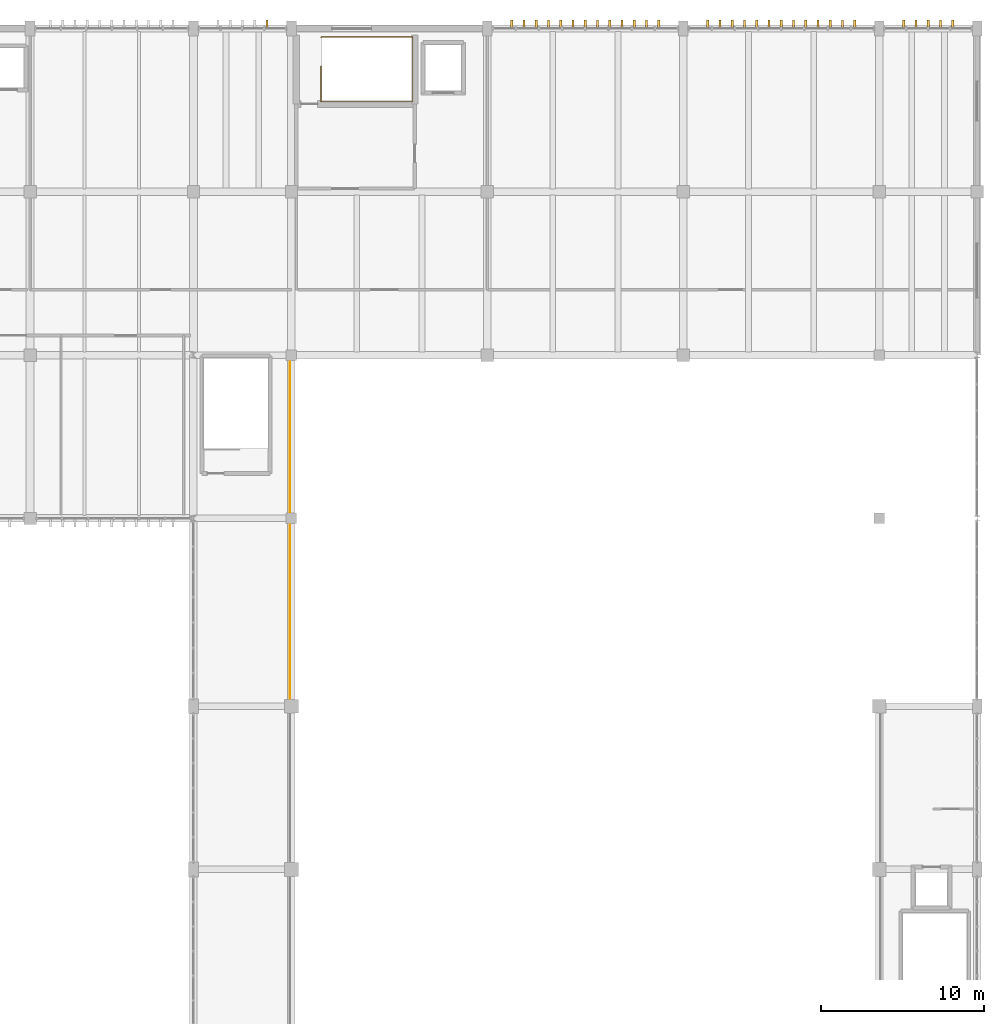
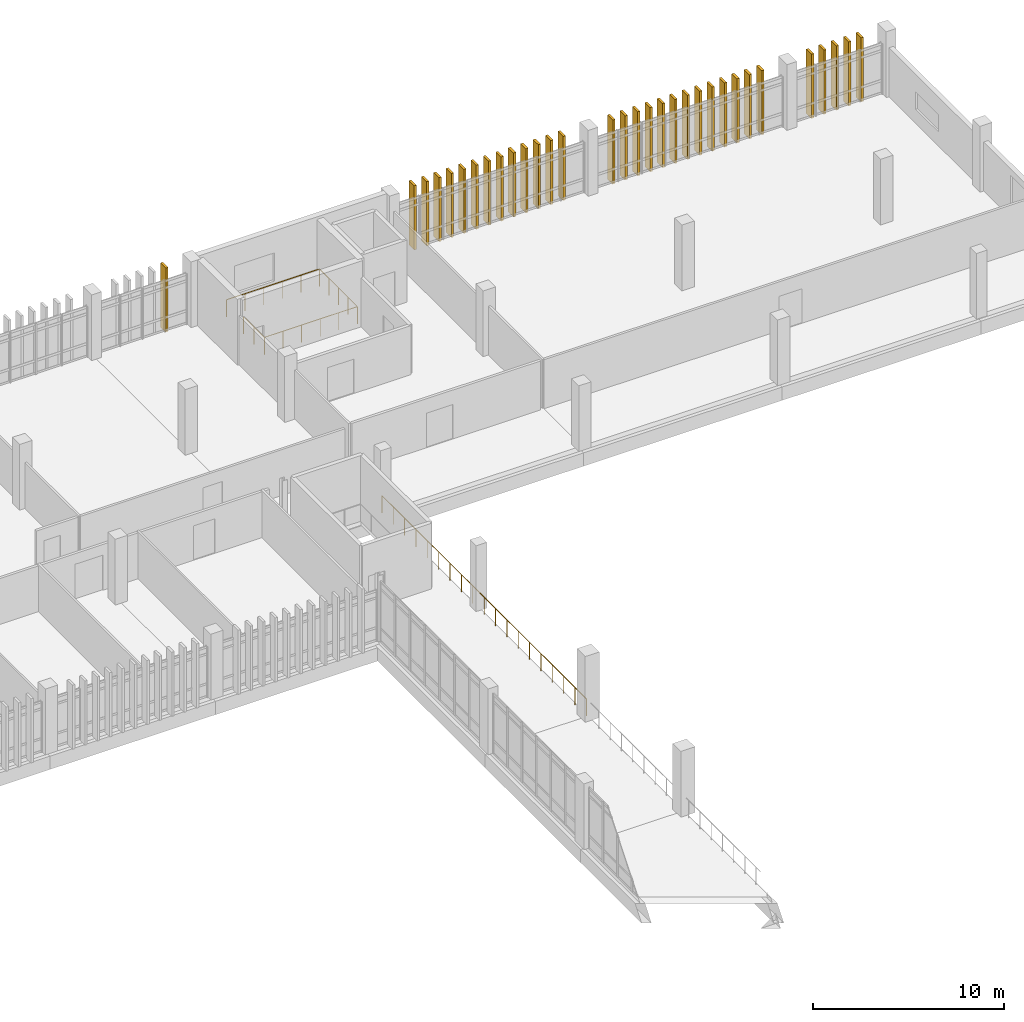
# One storey, part 161 of 161: 32 shading devices, 2 railings.
"""IFC4 building model written with IfcOpenShell, lengths in metres."""

from ifc_helpers import new_model, si_unit, direction, frame, origin, origin_2d, place, context, subcontext, project, spatial, rectangle, circle, extrude, material, type_object, element, save


model = new_model("IFC4")

# Units and contexts
model_context = context("Model", 3, precision=1e-05, world=origin(), true_north=direction((0.0, 1.0)))
body_context = subcontext(model_context, "Body", "Model", "MODEL_VIEW")
ifc_project = project(units=[si_unit("LENGTHUNIT", "METRE"), si_unit("AREAUNIT", "SQUARE_METRE"), si_unit("VOLUMEUNIT", "CUBIC_METRE"), si_unit("PLANEANGLEUNIT", "RADIAN"), si_unit("MASSUNIT", "GRAM", prefix="KILO")], contexts=[model_context])

# Site, building, storey
site_placement = place(None, origin())
site = spatial("IfcSite", under=ifc_project, at=site_placement, CompositionType="ELEMENT")
building_placement = place(site_placement, origin())
building = spatial("IfcBuilding", under=site, at=building_placement, Name="Mersad Railyard Sports Hall", CompositionType="ELEMENT")
storey_placement = place(building_placement, frame((0.0, 0.0, 4.800048828125)))
storey = spatial("IfcBuildingStorey", under=building, at=storey_placement, Name="L01", CompositionType="ELEMENT", Elevation=4.800048828125)

# Railings
ifc_material_1 = material(Name="Steel S355", Category="steel")
railing_type = type_object("IfcRailingType", Name="ARC-RL-GR01", PredefinedType="GUARDRAIL", material=ifc_material_1)
railing_1_placement = place(storey_placement, frame((138.81005859375, 112.68994140625, 0.0)))
element("IfcRailing", 1, at=railing_1_placement, inside=storey, type_object=railing_type, Name="Interior guard GR01-0100", PredefinedType="GUARDRAIL", context=body_context, shape_type="SweptSolid", body=[
    extrude(circle(Radius=0.02392578125, at=origin_2d()), frame((0.0, 0.0, 1.09619140625), z_axis=(0.0, -1.0, 0.0), x_axis=(1.0, 0.0, 0.0)), (0.0, 0.0, 1.0), 2.169921875),
    extrude(circle(Radius=0.02392578125, at=origin_2d()), frame((0.0, -2.169921875, 1.09619140625), z_axis=(1.0, 0.0, 0.0), x_axis=(0.0, 1.0, 0.0)), (0.0, 0.0, 1.0), 5.619873046875),
    extrude(circle(Radius=0.02392578125, at=origin_2d()), frame((5.619873046875, -2.169921875, 1.09619140625), z_axis=(0.0, 1.0, 0.0), x_axis=(-1.0, 0.0, 0.0)), (0.0, 0.0, 1.0), 3.9599609375),
    extrude(circle(Radius=0.02392578125, at=origin_2d()), frame((5.619873046875, 1.7900390625, 1.09619140625), z_axis=(-1.0, 0.0, 0.0), x_axis=(0.0, -1.0, 0.0)), (0.0, 0.0, 1.0), 5.619873046875),
    extrude(circle(Radius=0.02099609375, at=origin_2d()), origin(), (0.0, 0.0, 1.0), 1.072021484375),
    extrude(circle(Radius=0.02099609375, at=origin_2d()), frame((0.0, -1.0849609375, 0.0)), (0.0, 0.0, 1.0), 1.072021484375),
    extrude(circle(Radius=0.02099609375, at=origin_2d()), frame((0.0, -2.169921875, 0.0)), (0.0, 0.0, 1.0), 1.072021484375),
    extrude(circle(Radius=0.02099609375, at=origin_2d()), frame((1.1240234375, -2.169921875, 0.0)), (0.0, 0.0, 1.0), 1.072021484375),
    extrude(circle(Radius=0.02099609375, at=origin_2d()), frame((2.248046875, -2.169921875, 0.0)), (0.0, 0.0, 1.0), 1.072021484375),
    extrude(circle(Radius=0.02099609375, at=origin_2d()), frame((3.371826171875, -2.169921875, 0.0)), (0.0, 0.0, 1.0), 1.072021484375),
    extrude(circle(Radius=0.02099609375, at=origin_2d()), frame((4.495849609375, -2.169921875, 0.0)), (0.0, 0.0, 1.0), 1.072021484375),
    extrude(circle(Radius=0.02099609375, at=origin_2d()), frame((5.619873046875, -2.169921875, 0.0)), (0.0, 0.0, 1.0), 1.072021484375),
    extrude(circle(Radius=0.02099609375, at=origin_2d()), frame((5.619873046875, -1.179931640625, 0.0)), (0.0, 0.0, 1.0), 1.072021484375),
    extrude(circle(Radius=0.02099609375, at=origin_2d()), frame((5.619873046875, -0.18994140625, 0.0)), (0.0, 0.0, 1.0), 1.072021484375),
    extrude(circle(Radius=0.02099609375, at=origin_2d()), frame((5.619873046875, 0.800048828125, 0.0)), (0.0, 0.0, 1.0), 1.072021484375),
    extrude(circle(Radius=0.02099609375, at=origin_2d()), frame((5.619873046875, 1.7900390625, 0.0)), (0.0, 0.0, 1.0), 1.072021484375),
    extrude(circle(Radius=0.02099609375, at=origin_2d()), frame((4.495849609375, 1.7900390625, 0.0)), (0.0, 0.0, 1.0), 1.072021484375),
    extrude(circle(Radius=0.02099609375, at=origin_2d()), frame((3.371826171875, 1.7900390625, 0.0)), (0.0, 0.0, 1.0), 1.072021484375),
    extrude(circle(Radius=0.02099609375, at=origin_2d()), frame((2.248046875, 1.7900390625, 0.0)), (0.0, 0.0, 1.0), 1.072021484375),
    extrude(circle(Radius=0.02099609375, at=origin_2d()), frame((1.1240234375, 1.7900390625, 0.0)), (0.0, 0.0, 1.0), 1.072021484375),
    extrude(circle(Radius=0.02099609375, at=origin_2d()), frame((0.0, 1.7900390625, 0.0)), (0.0, 0.0, 1.0), 1.072021484375),
])
railing_2_placement = place(storey_placement, frame((136.919921875, 73.550048828125, 0.0)))
element("IfcRailing", 2, at=railing_2_placement, inside=storey, type_object=railing_type, Name="Interior guard GR01-0198", PredefinedType="GUARDRAIL", context=body_context, shape_type="SweptSolid", body=[
    extrude(circle(Radius=0.02392578125, at=origin_2d()), frame((0.0, 0.0, 1.09619140625), z_axis=(0.0, 1.0, 0.0), x_axis=(-1.0, 0.0, 0.0)), (0.0, 0.0, 1.0), 21.39990234375),
    extrude(circle(Radius=0.02099609375, at=origin_2d()), origin(), (0.0, 0.0, 1.0), 1.072021484375),
    extrude(circle(Radius=0.02099609375, at=origin_2d()), frame((0.0, 1.18896484375, 0.0)), (0.0, 0.0, 1.0), 1.072021484375),
    extrude(circle(Radius=0.02099609375, at=origin_2d()), frame((0.0, 2.377685546875, 0.0)), (0.0, 0.0, 1.0), 1.072021484375),
    extrude(circle(Radius=0.02099609375, at=origin_2d()), frame((0.0, 3.566650390625, 0.0)), (0.0, 0.0, 1.0), 1.072021484375),
    extrude(circle(Radius=0.02099609375, at=origin_2d()), frame((0.0, 4.755615234375, 0.0)), (0.0, 0.0, 1.0), 1.072021484375),
    extrude(circle(Radius=0.02099609375, at=origin_2d()), frame((0.0, 5.9443359375, 0.0)), (0.0, 0.0, 1.0), 1.072021484375),
    extrude(circle(Radius=0.02099609375, at=origin_2d()), frame((0.0, 7.13330078125, 0.0)), (0.0, 0.0, 1.0), 1.072021484375),
    extrude(circle(Radius=0.02099609375, at=origin_2d()), frame((0.0, 8.322265625, 0.0)), (0.0, 0.0, 1.0), 1.072021484375),
    extrude(circle(Radius=0.02099609375, at=origin_2d()), frame((0.0, 9.510986328125, 0.0)), (0.0, 0.0, 1.0), 1.072021484375),
    extrude(circle(Radius=0.02099609375, at=origin_2d()), frame((0.0, 10.699951171875, 0.0)), (0.0, 0.0, 1.0), 1.072021484375),
    extrude(circle(Radius=0.02099609375, at=origin_2d()), frame((0.0, 11.888916015625, 0.0)), (0.0, 0.0, 1.0), 1.072021484375),
    extrude(circle(Radius=0.02099609375, at=origin_2d()), frame((0.0, 13.07763671875, 0.0)), (0.0, 0.0, 1.0), 1.072021484375),
    extrude(circle(Radius=0.02099609375, at=origin_2d()), frame((0.0, 14.2666015625, 0.0)), (0.0, 0.0, 1.0), 1.072021484375),
    extrude(circle(Radius=0.02099609375, at=origin_2d()), frame((0.0, 15.45556640625, 0.0)), (0.0, 0.0, 1.0), 1.072021484375),
    extrude(circle(Radius=0.02099609375, at=origin_2d()), frame((0.0, 16.644287109375, 0.0)), (0.0, 0.0, 1.0), 1.072021484375),
    extrude(circle(Radius=0.02099609375, at=origin_2d()), frame((0.0, 17.833251953125, 0.0)), (0.0, 0.0, 1.0), 1.072021484375),
    extrude(circle(Radius=0.02099609375, at=origin_2d()), frame((0.0, 19.022216796875, 0.0)), (0.0, 0.0, 1.0), 1.072021484375),
    extrude(circle(Radius=0.02099609375, at=origin_2d()), frame((0.0, 20.2109375, 0.0)), (0.0, 0.0, 1.0), 1.072021484375),
    extrude(circle(Radius=0.02099609375, at=origin_2d()), frame((0.0, 21.39990234375, 0.0)), (0.0, 0.0, 1.0), 1.072021484375),
])

# Shading devices
ifc_material_2 = material(Name="Precast concrete C45/55", Category="concrete")
shading_device_type = type_object("IfcShadingDeviceType", Name="ARC-SH-FN01", PredefinedType="USERDEFINED", material=ifc_material_2)
for number, where, z_axis, x_axis, name in (
    (3, (135.5, 115.25, -0.10009765625), (0.0, 0.0, 1.0), (1.0, 0.0, 0.0), "Precast sun fin FN01-0196"),
    (4, (150.5, 115.25, -0.10009765625), (0.0, 0.0, 1.0), (1.0, 0.0, 0.0), "Precast sun fin FN01-0197"),
    (5, (151.25, 115.25, -0.10009765625), (0.0, 0.0, 1.0), (1.0, 0.0, 0.0), "Precast sun fin FN01-0198"),
    (6, (152.0, 115.25, -0.10009765625), (0.0, 0.0, 1.0), (1.0, 0.0, 0.0), "Precast sun fin FN01-0199"),
    (7, (152.75, 115.25, -0.10009765625), (0.0, 0.0, 1.0), (1.0, 0.0, 0.0), "Precast sun fin FN01-0200"),
    (8, (153.5, 115.25, -0.10009765625), (0.0, 0.0, 1.0), (1.0, 0.0, 0.0), "Precast sun fin FN01-0201"),
    (9, (154.25, 115.25, -0.10009765625), (0.0, 0.0, 1.0), (1.0, 0.0, 0.0), "Precast sun fin FN01-0202"),
    (10, (155.0, 115.25, -0.10009765625), (0.0, 0.0, 1.0), (1.0, 0.0, 0.0), "Precast sun fin FN01-0203"),
    (11, (155.75, 115.25, -0.10009765625), (0.0, 0.0, 1.0), (1.0, 0.0, 0.0), "Precast sun fin FN01-0204"),
    (12, (156.5, 115.25, -0.10009765625), (0.0, 0.0, 1.0), (1.0, 0.0, 0.0), "Precast sun fin FN01-0205"),
    (13, (157.25, 115.25, -0.10009765625), (0.0, 0.0, 1.0), (1.0, 0.0, 0.0), "Precast sun fin FN01-0206"),
    (14, (158.0, 115.25, -0.10009765625), (0.0, 0.0, 1.0), (1.0, 0.0, 0.0), "Precast sun fin FN01-0207"),
    (15, (158.75, 115.25, -0.10009765625), (0.0, 0.0, 1.0), (1.0, 0.0, 0.0), "Precast sun fin FN01-0208"),
    (16, (159.5, 115.25, -0.10009765625), (0.0, 0.0, 1.0), (1.0, 0.0, 0.0), "Precast sun fin FN01-0209"),
    (17, (162.5, 115.25, -0.10009765625), (0.0, 0.0, 1.0), (1.0, 0.0, 0.0), "Precast sun fin FN01-0210"),
    (18, (163.25, 115.25, -0.10009765625), (0.0, 0.0, 1.0), (1.0, 0.0, 0.0), "Precast sun fin FN01-0211"),
    (19, (164.0, 115.25, -0.10009765625), (0.0, 0.0, 1.0), (1.0, 0.0, 0.0), "Precast sun fin FN01-0212"),
    (20, (164.75, 115.25, -0.10009765625), (0.0, 0.0, 1.0), (1.0, 0.0, 0.0), "Precast sun fin FN01-0213"),
    (21, (165.5, 115.25, -0.10009765625), (0.0, 0.0, 1.0), (1.0, 0.0, 0.0), "Precast sun fin FN01-0214"),
    (22, (166.25, 115.25, -0.10009765625), (0.0, 0.0, 1.0), (1.0, 0.0, 0.0), "Precast sun fin FN01-0215"),
    (23, (167.0, 115.25, -0.10009765625), (0.0, 0.0, 1.0), (1.0, 0.0, 0.0), "Precast sun fin FN01-0216"),
    (24, (167.75, 115.25, -0.10009765625), (0.0, 0.0, 1.0), (1.0, 0.0, 0.0), "Precast sun fin FN01-0217"),
    (25, (168.5, 115.25, -0.10009765625), (0.0, 0.0, 1.0), (1.0, 0.0, 0.0), "Precast sun fin FN01-0218"),
    (26, (169.25, 115.25, -0.10009765625), (0.0, 0.0, 1.0), (1.0, 0.0, 0.0), "Precast sun fin FN01-0219"),
    (27, (170.0, 115.25, -0.10009765625), (0.0, 0.0, 1.0), (1.0, 0.0, 0.0), "Precast sun fin FN01-0220"),
    (28, (170.75, 115.25, -0.10009765625), (0.0, 0.0, 1.0), (1.0, 0.0, 0.0), "Precast sun fin FN01-0221"),
    (29, (171.5, 115.25, -0.10009765625), (0.0, 0.0, 1.0), (1.0, 0.0, 0.0), "Precast sun fin FN01-0222"),
    (30, (174.5, 115.25, -0.10009765625), (0.0, 0.0, 1.0), (1.0, 0.0, 0.0), "Precast sun fin FN01-0223"),
    (31, (175.25, 115.25, -0.10009765625), (0.0, 0.0, 1.0), (1.0, 0.0, 0.0), "Precast sun fin FN01-0224"),
    (32, (176.0, 115.25, -0.10009765625), (0.0, 0.0, 1.0), (1.0, 0.0, 0.0), "Precast sun fin FN01-0225"),
    (33, (176.75, 115.25, -0.10009765625), (0.0, 0.0, 1.0), (1.0, 0.0, 0.0), "Precast sun fin FN01-0226"),
    (34, (177.5, 115.25, -0.10009765625), (0.0, 0.0, 1.0), (1.0, 0.0, 0.0), "Precast sun fin FN01-0227"),
):
    element("IfcShadingDevice", number, at=place(storey_placement, frame(where, z_axis=z_axis, x_axis=x_axis)), inside=storey, type_object=shading_device_type, Name=name, ObjectType="FIN", PredefinedType="USERDEFINED", context=body_context, shape_type="SweptSolid", body=[
        extrude(rectangle(XDim=0.139892578125, YDim=0.550048828125, at=origin_2d()), origin(), (0.0, 0.0, 1.0), 4.10009765625),
    ])

save(model, "model.ifc")
